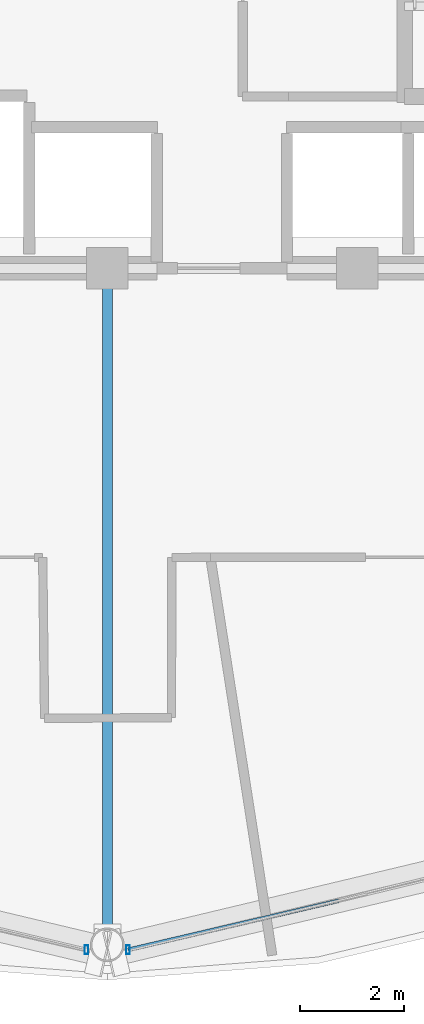
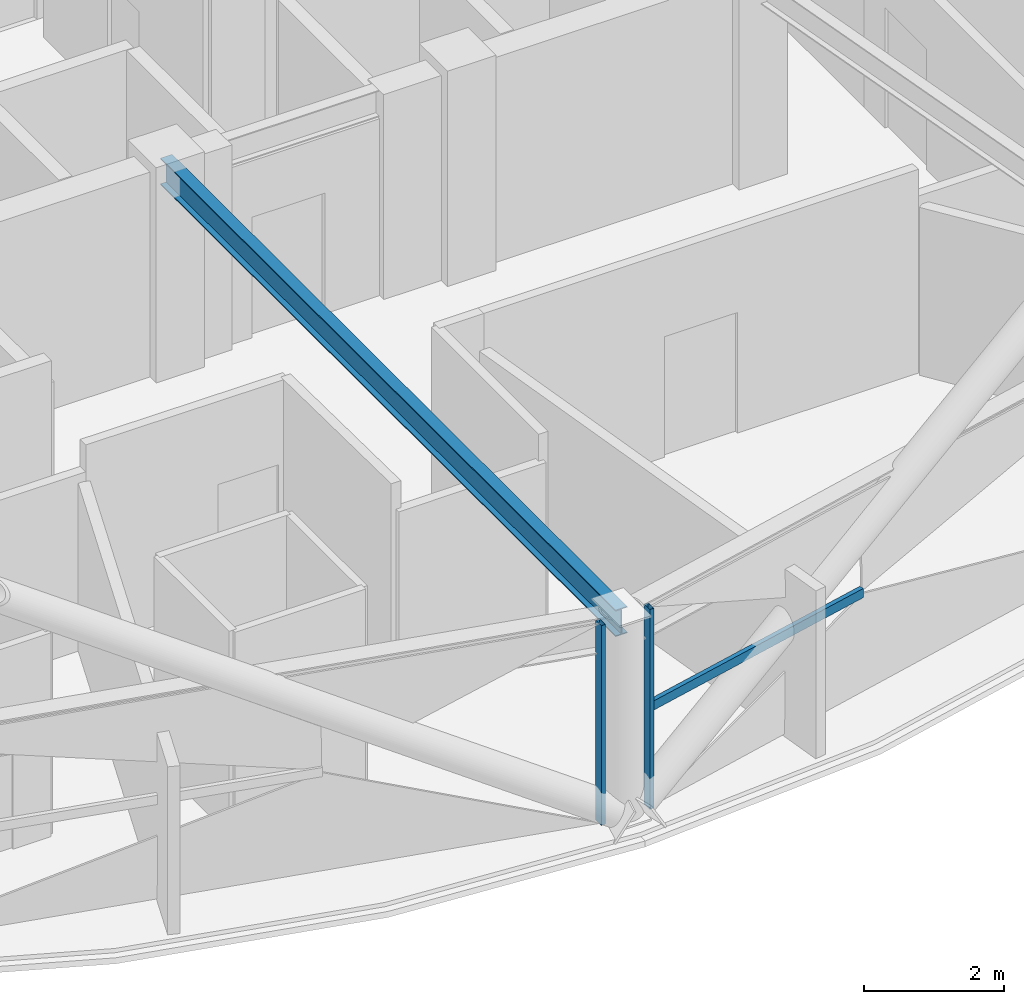
# One storey, part 5 of 30: 3 members, 1 beam, 2 elements without a shape of their own.
"""IFC4 building model written with IfcOpenShell, lengths in metres."""

from ifc_helpers import new_model, si_unit, direction, frame, origin, origin_2d, place, context, subcontext, project, spatial, hollow_rectangle, i_section, extrude, material, layer, layer_set, material_profile, profile_set, type_object, element, aggregate, save


model = new_model("IFC4")

# Units and contexts
model_context = context("Model", 3, precision=1e-05, world=origin(), true_north=direction((0.0, 1.0)))
body_context = subcontext(model_context, "Body", "Model", "MODEL_VIEW")
ifc_project = project(units=[si_unit("LENGTHUNIT", "METRE"), si_unit("AREAUNIT", "SQUARE_METRE"), si_unit("VOLUMEUNIT", "CUBIC_METRE"), si_unit("PLANEANGLEUNIT", "RADIAN"), si_unit("MASSUNIT", "GRAM", prefix="KILO")], contexts=[model_context])

# Site, building, storey
site_placement = place(None, origin())
site = spatial("IfcSite", under=ifc_project, at=site_placement, CompositionType="ELEMENT")
building_placement = place(site_placement, origin())
building = spatial("IfcBuilding", under=site, at=building_placement, Name="Vantalir Tower", CompositionType="ELEMENT")
storey_placement = place(building_placement, frame((0.0, 0.0, 189.89990234375)))
storey = spatial("IfcBuildingStorey", under=building, at=storey_placement, Name="L47", CompositionType="ELEMENT", Elevation=189.89990234375)

# Beam
ifc_material_1 = material(Name="Steel S355", Category="steel")
ifc_material_profile_1 = material_profile(ifc_material_1, i_section(OverallWidth=0.19189453125, OverallDepth=0.462890625, WebThickness=0.010498046875, FlangeThickness=0.017578125, at=origin_2d()), Name="Steel S355")
ifc_profile_set_1 = profile_set([ifc_material_profile_1], Name="Steel S355")
beam_type = type_object("IfcBeamType", Name="BM-RB-457x191", PredefinedType="BEAM", material=ifc_profile_set_1)
beam_placement = place(storey_placement, frame((31.5, 4.81201171875, 3.338134765625), z_axis=(0.0, 1.0, 0.0), x_axis=(-1.0, 0.0, 0.0)))
element("IfcBeam", 1, at=beam_placement, inside=storey, type_object=beam_type, Name="L47 Radial Floor Beam 10", PredefinedType="BEAM", context=body_context, shape_type="SweptSolid", body=[
    extrude(i_section(OverallWidth=0.19189453125, OverallDepth=0.462890625, WebThickness=0.010498046875, FlangeThickness=0.017578125, at=origin_2d()), origin(), (0.0, 0.0, 1.0), 12.988037109375),
])

# Curtain wall, member
ifc_material_2 = material(Name="Champagne-silver PVDF aluminium and double-silver Low-E glass", Category="aluminium")
ifc_layer = layer(ifc_material_2, 0.2099609375)
ifc_layer_set = layer_set([ifc_layer], Name="Champagne-silver PVDF aluminium and double-silver Low-E glass")
curtain_wall_type = type_object("IfcCurtainWallType", Name="CW-DIAMOND-Z3", PredefinedType="USERDEFINED", material=ifc_layer_set)
curtain_wall_1_placement = place(storey_placement, origin())
curtain_wall_1 = element("IfcCurtainWall", 2, at=curtain_wall_1_placement, inside=storey, type_object=curtain_wall_type, Name="L47 Quilted Pyramid-Diamond Curtain Wall S09", ObjectType="UNITISED CURTAIN WALL", PredefinedType="USERDEFINED")
ifc_material_3 = material(Name="Champagne-silver PVDF aluminium 6063-T6", Category="aluminium")
ifc_material_profile_2 = material_profile(ifc_material_3, hollow_rectangle(XDim=0.070068359375, YDim=0.1650390625, WallThickness=0.00390625, at=origin_2d()), Name="Champagne-silver PVDF aluminium 6063-T6")
ifc_profile_set_2 = profile_set([ifc_material_profile_2], Name="Champagne-silver PVDF aluminium 6063-T6")
member_type_1 = type_object("IfcMemberType", Name="CWM-165x70", PredefinedType="MULLION", material=ifc_profile_set_2)
member_1_placement = place(storey_placement, frame((31.10107421875, 4.717041015625, 0.045166015625), z_axis=(0.0, 0.0, 1.0), x_axis=(1.0, 0.0, 0.0)))
member_1 = element("IfcMember", 3, at=member_1_placement, type_object=member_type_1, Name="CW-L47-S09 Mullion 2", PredefinedType="MULLION", context=body_context, shape_type="SweptSolid", body=[
    extrude(hollow_rectangle(XDim=0.070068359375, YDim=0.1650390625, WallThickness=0.00390625, at=origin_2d()), origin(), (0.0, 0.0, 1.0), 3.47998046875),
])
aggregate(curtain_wall_1, [member_1])

# Curtain wall, members
curtain_wall_2_placement = place(storey_placement, origin())
curtain_wall_2 = element("IfcCurtainWall", 4, at=curtain_wall_2_placement, inside=storey, type_object=curtain_wall_type, Name="L47 Quilted Pyramid-Diamond Curtain Wall S10", ObjectType="UNITISED CURTAIN WALL", PredefinedType="USERDEFINED")
member_2_placement = place(storey_placement, frame((31.89892578125, 4.717041015625, 0.045166015625), z_axis=(0.0, 0.0, 1.0), x_axis=(1.0, 0.0, 0.0)))
member_2 = element("IfcMember", 5, at=member_2_placement, type_object=member_type_1, Name="CW-L47-S10 Mullion 1", PredefinedType="MULLION", context=body_context, shape_type="SweptSolid", body=[
    extrude(hollow_rectangle(XDim=0.070068359375, YDim=0.1650390625, WallThickness=0.00390625, at=origin_2d()), origin(), (0.0, 0.0, 1.0), 3.47998046875),
])
ifc_material_profile_3 = material_profile(ifc_material_3, hollow_rectangle(XDim=0.074951171875, YDim=0.159912109375, WallThickness=0.00390625, at=origin_2d()), Name="Champagne-silver PVDF aluminium 6063-T6")
ifc_profile_set_3 = profile_set([ifc_material_profile_3], Name="Champagne-silver PVDF aluminium 6063-T6")
member_type_2 = type_object("IfcMemberType", Name="CWT-160x75", PredefinedType="USERDEFINED", material=ifc_profile_set_3)
member_3_placement = place(storey_placement, frame((31.89892578125, 4.717041015625, 1.78515625), z_axis=(0.973970632875, 0.226674229452, 0.0), x_axis=(-0.226674229452, 0.973970632875, 0.0)))
member_3 = element("IfcMember", 6, at=member_3_placement, type_object=member_type_2, Name="CW-L47-S10 Pyramid Fold Ridge Transom", ObjectType="TRANSOM", PredefinedType="USERDEFINED", context=body_context, shape_type="SweptSolid", body=[
    extrude(hollow_rectangle(XDim=0.074951171875, YDim=0.159912109375, WallThickness=0.00390625, at=origin_2d()), origin(), (0.0, 0.0, 1.0), 4.1552734375),
])
aggregate(curtain_wall_2, [member_2, member_3])

save(model, "model.ifc")
